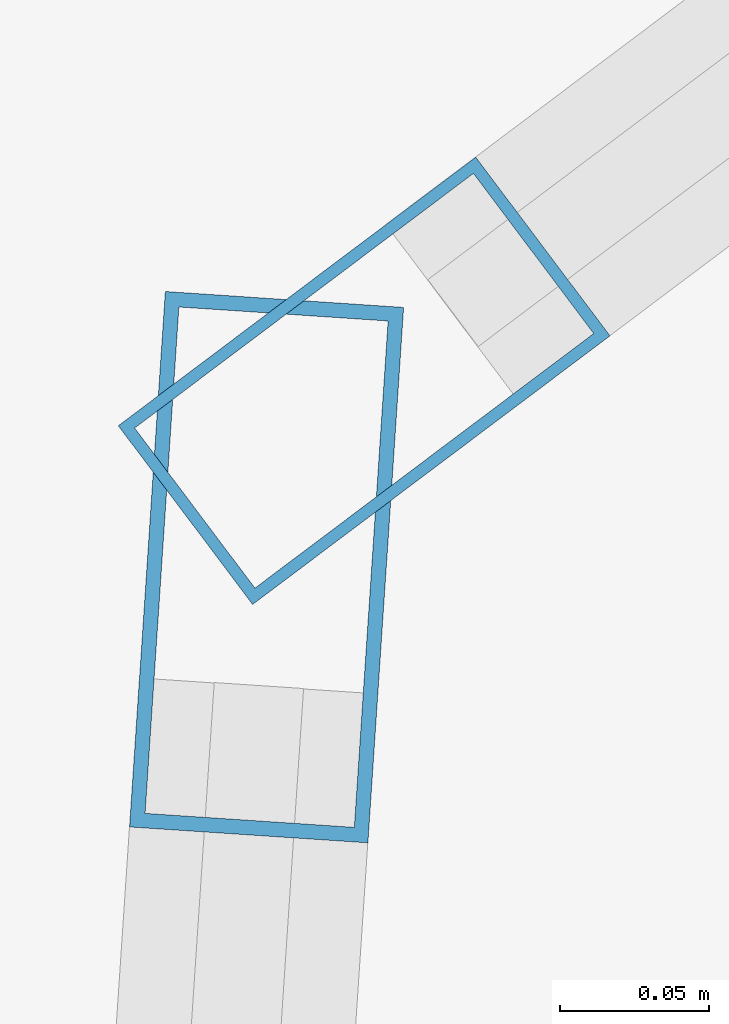
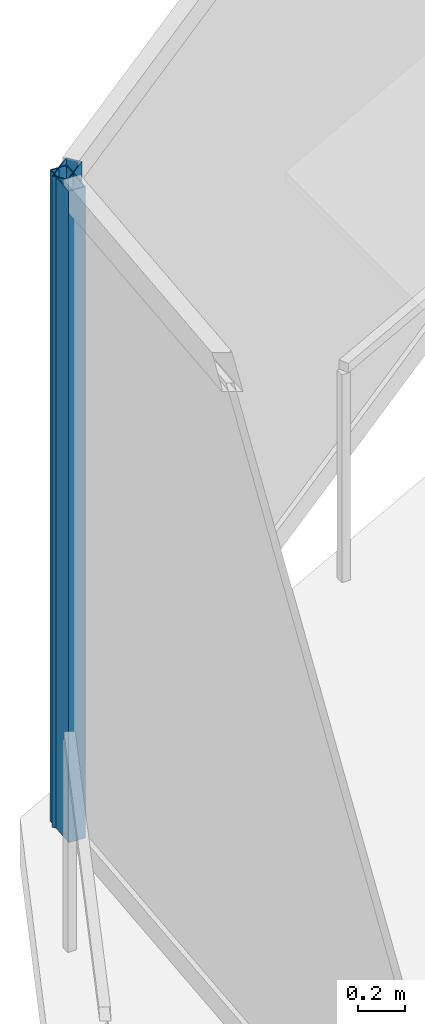
# One storey, part 16 of 31: 2 members, 2 elements without a shape of their own.
"""IFC4 building model written with IfcOpenShell, lengths in metres."""

from ifc_helpers import new_model, si_unit, direction, frame, origin, origin_2d, place, context, subcontext, project, spatial, hollow_rectangle, extrude, material, layer, layer_set, material_profile, profile_set, type_object, element, aggregate, save


model = new_model("IFC4")

# Units and contexts
model_context = context("Model", 3, precision=1e-05, world=origin(), true_north=direction((0.0, 1.0)))
body_context = subcontext(model_context, "Body", "Model", "MODEL_VIEW")
ifc_project = project(units=[si_unit("LENGTHUNIT", "METRE"), si_unit("AREAUNIT", "SQUARE_METRE"), si_unit("VOLUMEUNIT", "CUBIC_METRE"), si_unit("PLANEANGLEUNIT", "RADIAN"), si_unit("MASSUNIT", "GRAM", prefix="KILO")], contexts=[model_context])

# Site, building, storey
site_placement = place(None, origin())
site = spatial("IfcSite", under=ifc_project, at=site_placement, CompositionType="ELEMENT")
building_placement = place(site_placement, origin())
building = spatial("IfcBuilding", under=site, at=building_placement, Name="Kazevale Care Tower and Concert Hall", CompositionType="ELEMENT")
storey_placement = place(building_placement, frame((0.0, 0.0, 117.0)))
storey = spatial("IfcBuildingStorey", under=building, at=storey_placement, Name="L30", CompositionType="ELEMENT", Elevation=117.0)

# Curtain wall, member
ifc_material_1 = material(Name="Aluminium 6063-T6 and Low-E Glass", Category="aluminium")
ifc_layer_1 = layer(ifc_material_1, 0.179931640625)
ifc_layer_set_1 = layer_set([ifc_layer_1], Name="Aluminium 6063-T6 and Low-E Glass")
curtain_wall_type_1 = type_object("IfcCurtainWallType", Name="Convex Recessed Sunroom Curtain Wall CW-3", PredefinedType="NOTDEFINED", material=ifc_layer_set_1)
curtain_wall_1_placement = place(storey_placement, origin())
curtain_wall_1 = element("IfcCurtainWall", 1, at=curtain_wall_1_placement, inside=storey, type_object=curtain_wall_type_1, Name="cw:L30:f14", PredefinedType="NOTDEFINED")
ifc_material_2 = material(Name="Aluminium 6063-T6", Category="aluminium")
ifc_material_profile_1 = material_profile(ifc_material_2, hollow_rectangle(XDim=0.074951171875, YDim=0.14990234375, WallThickness=0.00390625, at=origin_2d()), Name="ALU75x150x4")
ifc_profile_set_1 = profile_set([ifc_material_profile_1], Name="Aluminium 6063-T6")
member_type_1 = type_object("IfcMemberType", Name="CW-3 Mullion ALU75x150x4", PredefinedType="MULLION", material=ifc_profile_set_1)
member_1_placement = place(storey_placement, frame((16.55908203125, 49.66748046875, 0.0), z_axis=(0.0, 0.0, 1.0), x_axis=(-0.600797902474, 0.799400950952, 0.0)))
member_1 = element("IfcMember", 2, at=member_1_placement, type_object=member_type_1, Name="CW-3 mullion 1", PredefinedType="MULLION", context=body_context, shape_type="SweptSolid", body=[
    extrude(hollow_rectangle(XDim=0.074951171875, YDim=0.14990234375, WallThickness=0.00390625, at=origin_2d()), origin(), (0.0, 0.0, 1.0), 3.360107421875),
])
aggregate(curtain_wall_1, [member_1])

ifc_layer_2 = layer(ifc_material_1, 0.179931640625)
ifc_layer_set_2 = layer_set([ifc_layer_2], Name="Aluminium 6063-T6 and Low-E Glass")
curtain_wall_type_2 = type_object("IfcCurtainWallType", Name="Waist & Upper Residential Curtain Wall CW-4", PredefinedType="NOTDEFINED", material=ifc_layer_set_2)
curtain_wall_2_placement = place(storey_placement, origin())
curtain_wall_2 = element("IfcCurtainWall", 3, at=curtain_wall_2_placement, inside=storey, type_object=curtain_wall_type_2, Name="cw:L30:f13", PredefinedType="NOTDEFINED")
ifc_material_profile_2 = material_profile(ifc_material_2, hollow_rectangle(XDim=0.080078125, YDim=0.179931640625, WallThickness=0.0048828125, at=origin_2d()), Name="ALU80x180x5")
ifc_profile_set_2 = profile_set([ifc_material_profile_2], Name="Aluminium 6063-T6")
member_type_2 = type_object("IfcMemberType", Name="CW-4 Mullion ALU80x180x5", PredefinedType="MULLION", material=ifc_profile_set_2)
member_2_placement = place(storey_placement, frame((16.5263671875, 49.60498046875, 0.0), z_axis=(0.0, 0.0, 1.0), x_axis=(-0.997778418439, 0.06662002475, 0.0)))
member_2 = element("IfcMember", 4, at=member_2_placement, type_object=member_type_2, Name="CW-4 mullion 2", PredefinedType="MULLION", context=body_context, shape_type="SweptSolid", body=[
    extrude(hollow_rectangle(XDim=0.080078125, YDim=0.179931640625, WallThickness=0.0048828125, at=origin_2d()), origin(), (0.0, 0.0, 1.0), 3.360107421875),
])
aggregate(curtain_wall_2, [member_2])

save(model, "model.ifc")
